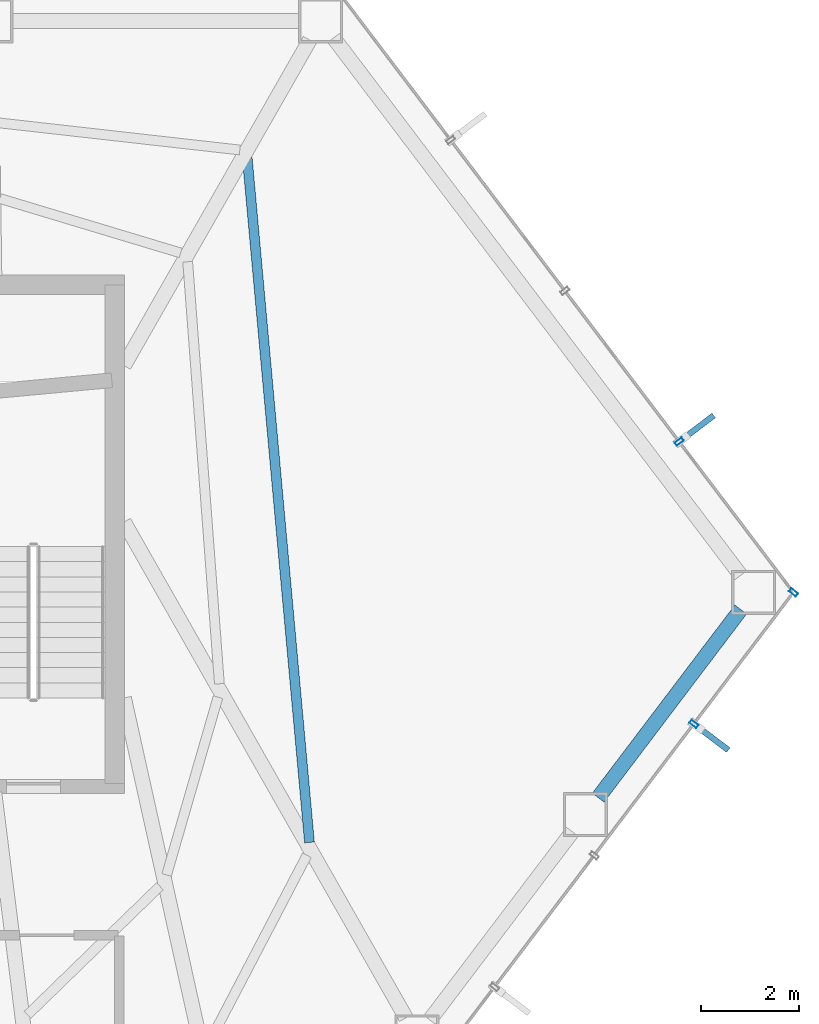
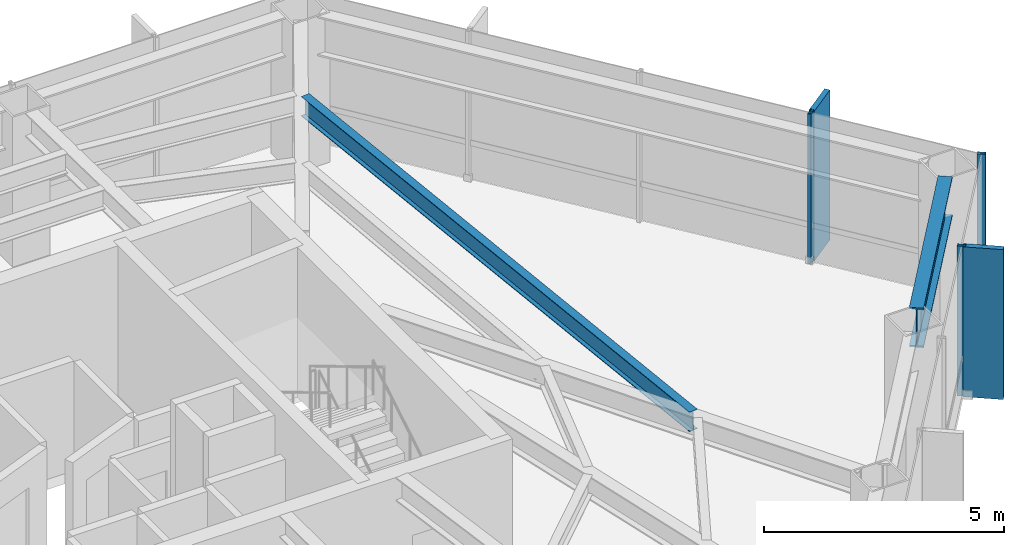
# One storey, part 17 of 24: 5 members, 2 beams, 2 elements without a shape of their own.
"""IFC4 building model written with IfcOpenShell, lengths in metres."""

from ifc_helpers import new_model, si_unit, direction, frame, origin, origin_2d, place, context, subcontext, project, spatial, rectangle, hollow_rectangle, i_section, extrude, material, layer, layer_set, material_profile, profile_set, type_object, element, aggregate, save


model = new_model("IFC4")

# Units and contexts
model_context = context("Model", 3, precision=1e-05, world=origin(), true_north=direction((0.0, 1.0)))
body_context = subcontext(model_context, "Body", "Model", "MODEL_VIEW")
ifc_project = project(units=[si_unit("LENGTHUNIT", "METRE"), si_unit("AREAUNIT", "SQUARE_METRE"), si_unit("VOLUMEUNIT", "CUBIC_METRE"), si_unit("PLANEANGLEUNIT", "RADIAN"), si_unit("MASSUNIT", "GRAM", prefix="KILO")], contexts=[model_context])

# Site, building, storey
site_placement = place(None, origin())
site = spatial("IfcSite", under=ifc_project, at=site_placement, CompositionType="ELEMENT")
building_placement = place(site_placement, origin())
building = spatial("IfcBuilding", under=site, at=building_placement, Name="Zarrinselat Tower", CompositionType="ELEMENT")
storey_placement = place(building_placement, frame((0.0, 0.0, 96.89990234375)))
storey = spatial("IfcBuildingStorey", under=building, at=storey_placement, Name="L23", CompositionType="ELEMENT", Elevation=96.89990234375)

# Beams
ifc_material_1 = material(Name="Steel S460M", Category="steel")
ifc_material_profile_1 = material_profile(ifc_material_1, i_section(OverallWidth=0.302001953125, OverallDepth=1.008056640625, WebThickness=0.02099609375, FlangeThickness=0.0400390625, at=origin_2d()), Name="HEM 1000")
ifc_profile_set_1 = profile_set([ifc_material_profile_1], Name="Steel S460M")
beam_type_1 = type_object("IfcBeamType", Name="BM-HEM1000", PredefinedType="BEAM", material=ifc_profile_set_1)
beam_1_placement = place(storey_placement, frame((58.147705078125, 32.96337890625, 3.316162109375), z_axis=(0.603852819431, 0.797095836437, 0.0), x_axis=(-0.797095836437, 0.603852819431, 0.0)))
element("IfcBeam", 1, at=beam_1_placement, inside=storey, type_object=beam_type_1, Name="L23 Perimeter Spandrel Girder SP14", PredefinedType="BEAM", context=body_context, shape_type="SweptSolid", body=[
    extrude(i_section(OverallWidth=0.302001953125, OverallDepth=1.008056640625, WebThickness=0.02099609375, FlangeThickness=0.0400390625, at=origin_2d()), origin(), (0.0, 0.0, 1.0), 4.827392578125),
])
ifc_material_2 = material(Name="Steel S355J2", Category="steel")
ifc_material_profile_2 = material_profile(ifc_material_2, i_section(OverallWidth=0.199951171875, OverallDepth=0.5, WebThickness=0.01025390625, FlangeThickness=0.01611328125, at=origin_2d()), Name="IPE 500")
ifc_profile_set_2 = profile_set([ifc_material_profile_2], Name="Steel S355J2")
beam_type_2 = type_object("IfcBeamType", Name="BM-IPE500", PredefinedType="JOIST", material=ifc_profile_set_2)
beam_2_placement = place(storey_placement, frame((50.968994140625, 46.054443359375, 3.570068359375), z_axis=(0.090559222659, -0.995891071951, 0.0), x_axis=(0.995891071951, 0.090559222659, 0.0)))
element("IfcBeam", 2, at=beam_2_placement, inside=storey, type_object=beam_type_2, Name="L23 Composite Floor Joist 5-1", PredefinedType="JOIST", context=body_context, shape_type="SweptSolid", body=[
    extrude(i_section(OverallWidth=0.199951171875, OverallDepth=0.5, WebThickness=0.01025390625, FlangeThickness=0.01611328125, at=origin_2d()), origin(), (0.0, 0.0, 1.0), 14.064697265625),
])

# Curtain wall, members
ifc_material_3 = material(Name="Extruded Aluminium Alloy EN AW-6063 T6", Category="aluminium")
ifc_layer = layer(ifc_material_3, 0.18505859375)
ifc_layer_set = layer_set([ifc_layer], Name="Extruded Aluminium Alloy EN AW-6063 T6")
curtain_wall_type = type_object("IfcCurtainWallType", Name="CWS-OFF", PredefinedType="NOTDEFINED", material=ifc_layer_set)
curtain_wall_1_placement = place(storey_placement, origin())
curtain_wall_1 = element("IfcCurtainWall", 3, at=curtain_wall_1_placement, inside=storey, type_object=curtain_wall_type, Name="L23 Unitised Curtain Wall CW-L23-E05", PredefinedType="NOTDEFINED")
ifc_material_4 = material(Name="Extruded Aluminium Alloy EN AW-6063 T6", Category="aluminium")
ifc_material_profile_3 = material_profile(ifc_material_4, hollow_rectangle(XDim=0.080078125, YDim=0.179931640625, WallThickness=0.0048828125, at=origin_2d()), Name="RHS 180x80x5")
ifc_profile_set_3 = profile_set([ifc_material_profile_3], Name="Extruded Aluminium Alloy EN AW-6063 T6")
member_type_1 = type_object("IfcMemberType", Name="MEM-CW-MUL", PredefinedType="MULLION", material=ifc_profile_set_3)
member_1_placement = place(storey_placement, frame((60.104248046875, 34.4697265625, 0.0), z_axis=(0.0, 0.0, 1.0), x_axis=(0.603858013909, 0.79709190125, 0.0)))
member_1 = element("IfcMember", 4, at=member_1_placement, type_object=member_type_1, Name="CW-L23-E05 Mullion 7", PredefinedType="MULLION", context=body_context, shape_type="SweptSolid", body=[
    extrude(hollow_rectangle(XDim=0.080078125, YDim=0.179931640625, WallThickness=0.0048828125, at=origin_2d()), origin(), (0.0, 0.0, 1.0), 3.820068359375),
])
member_2_placement = place(storey_placement, frame((62.142578125, 37.160400390625, 0.0), z_axis=(0.0, 0.0, 1.0), x_axis=(0.603858013909, 0.79709190125, 0.0)))
member_2 = element("IfcMember", 5, at=member_2_placement, type_object=member_type_1, Name="CW-L23-E05 Mullion 8", PredefinedType="MULLION", context=body_context, shape_type="SweptSolid", body=[
    extrude(hollow_rectangle(XDim=0.080078125, YDim=0.179931640625, WallThickness=0.0048828125, at=origin_2d()), origin(), (0.0, 0.0, 1.0), 3.820068359375),
])

# Curtain wall, member
curtain_wall_2_placement = place(storey_placement, origin())
curtain_wall_2 = element("IfcCurtainWall", 6, at=curtain_wall_2_placement, inside=storey, type_object=curtain_wall_type, Name="L23 Unitised Curtain Wall CW-L23-E06", PredefinedType="NOTDEFINED")
member_3_placement = place(storey_placement, frame((59.8056640625, 40.245361328125, 0.0), z_axis=(0.0, 0.0, 1.0), x_axis=(-0.6038584342, 0.797091582847, 0.0)))
member_3 = element("IfcMember", 7, at=member_3_placement, type_object=member_type_1, Name="CW-L23-E06 Mullion 1", PredefinedType="MULLION", context=body_context, shape_type="SweptSolid", body=[
    extrude(hollow_rectangle(XDim=0.080078125, YDim=0.179931640625, WallThickness=0.0048828125, at=origin_2d()), origin(), (0.0, 0.0, 1.0), 3.820068359375),
])

# Member
ifc_material_5 = material(Name="Honed Cream Travertine Stone", Category="masonry")
ifc_material_profile_4 = material_profile(ifc_material_5, rectangle(XDim=0.1201171875, YDim=0.85009765625, at=origin_2d()), Name="FIN 850x120")
ifc_profile_set_4 = profile_set([ifc_material_profile_4], Name="Honed Cream Travertine Stone")
member_type_2 = type_object("IfcMemberType", Name="MEM-STONE-FIN", PredefinedType="USERDEFINED", material=ifc_profile_set_4)
member_4_placement = place(storey_placement, frame((60.470947265625, 34.19189453125, 0.0), z_axis=(0.0, 0.0, 1.0), x_axis=(-0.603858013909, -0.79709190125, 0.0)))
member_4 = element("IfcMember", 8, at=member_4_placement, type_object=member_type_2, Name="L23 Stone Shading Fin CW-L23-E05-07", ObjectType="FIN", PredefinedType="USERDEFINED", context=body_context, shape_type="SweptSolid", body=[
    extrude(rectangle(XDim=0.1201171875, YDim=0.85009765625, at=origin_2d()), origin(), (0.0, 0.0, 1.0), 3.820068359375),
])

aggregate(curtain_wall_1, [member_1, member_4, member_2])

member_5_placement = place(storey_placement, frame((60.17236328125, 40.523193359375, 0.0), z_axis=(0.0, 0.0, 1.0), x_axis=(0.6038584342, -0.797091582847, 0.0)))
member_5 = element("IfcMember", 9, at=member_5_placement, type_object=member_type_2, Name="L23 Stone Shading Fin CW-L23-E06-01", ObjectType="FIN", PredefinedType="USERDEFINED", context=body_context, shape_type="SweptSolid", body=[
    extrude(rectangle(XDim=0.1201171875, YDim=0.85009765625, at=origin_2d()), origin(), (0.0, 0.0, 1.0), 3.820068359375),
])

aggregate(curtain_wall_2, [member_3, member_5])

save(model, "model.ifc")
